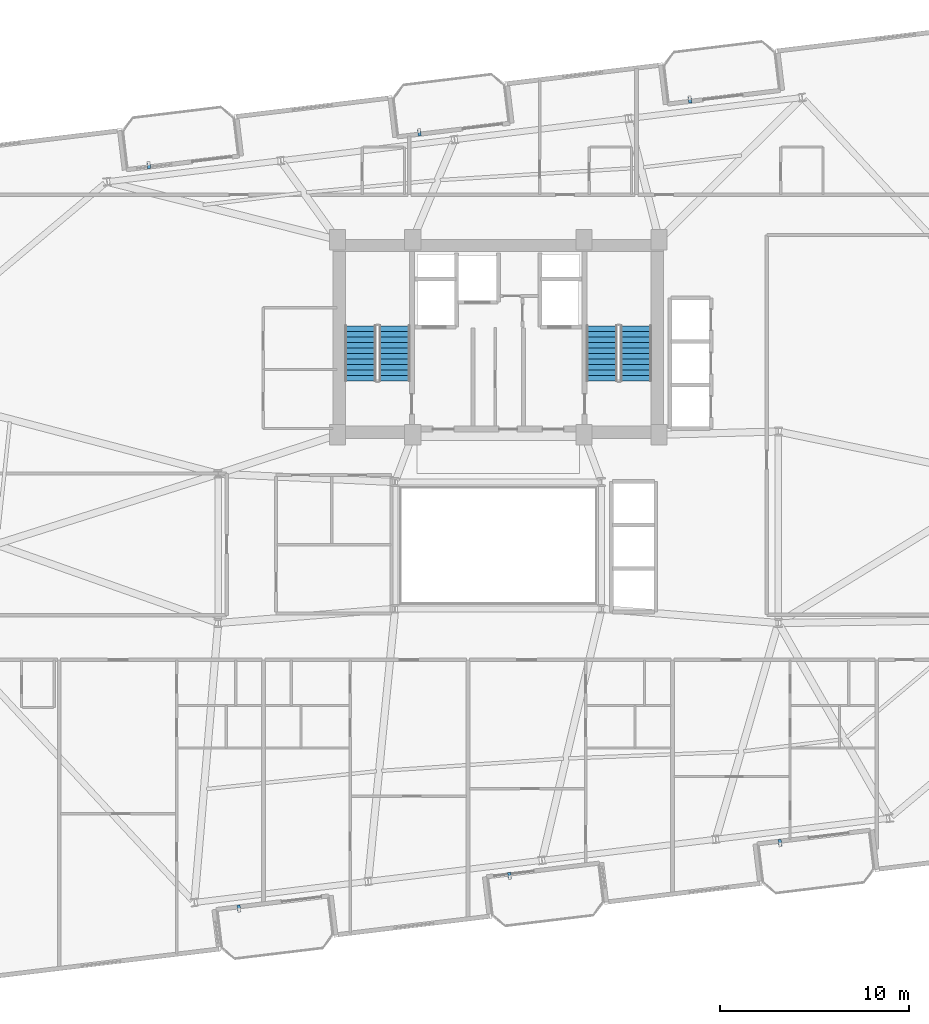
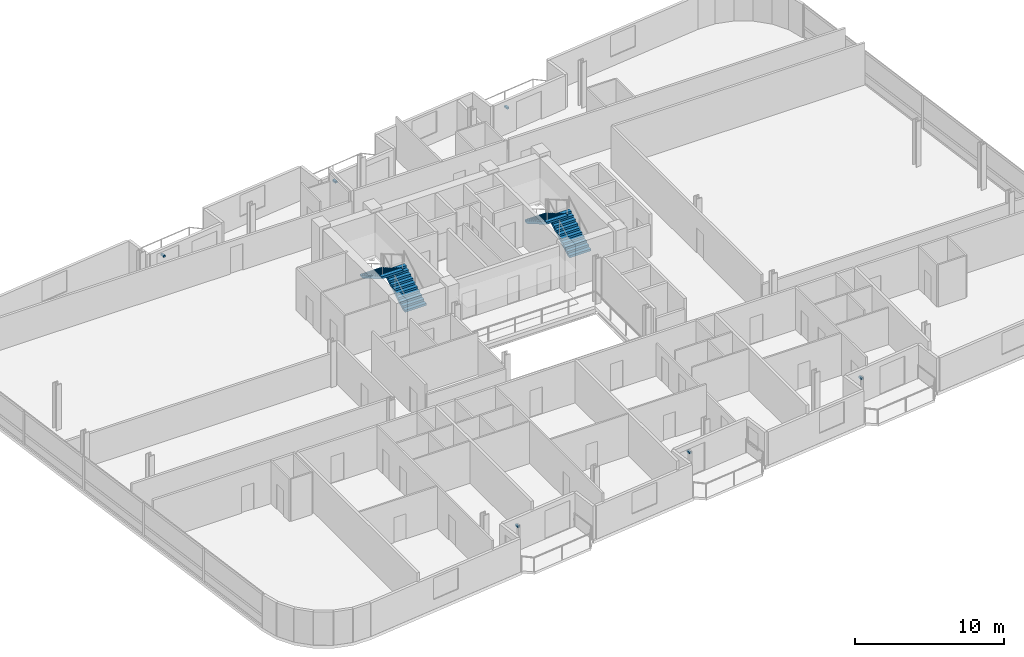
# One storey, part 19 of 23: 6 discrete accessories, 4 stair flights, 2 elements without a shape of their own.
"""IFC4 building model written with IfcOpenShell, lengths in metres."""

from ifc_helpers import new_model, si_unit, direction, frame, origin, origin_2d, place, context, subcontext, project, spatial, polyline, rectangle, outline, extrude, source, transform, mapped, material, type_object, element, aggregate, save


model = new_model("IFC4")

# Units and contexts
model_context = context("Model", 3, precision=1e-05, world=origin(), true_north=direction((0.0, 1.0)))
body_context = subcontext(model_context, "Body", "Model", "MODEL_VIEW")
ifc_project = project(units=[si_unit("LENGTHUNIT", "METRE"), si_unit("AREAUNIT", "SQUARE_METRE"), si_unit("VOLUMEUNIT", "CUBIC_METRE"), si_unit("PLANEANGLEUNIT", "RADIAN"), si_unit("MASSUNIT", "GRAM", prefix="KILO")], contexts=[model_context])

# Site, building, storey
site_placement = place(None, origin())
site = spatial("IfcSite", under=ifc_project, at=site_placement, CompositionType="ELEMENT")
building_placement = place(site_placement, origin())
building = spatial("IfcBuilding", under=site, at=building_placement, Name="Varnelok Gate Tower", CompositionType="ELEMENT")
storey_placement = place(building_placement, frame((0.0, 0.0, 174.60009765625)))
storey = spatial("IfcBuildingStorey", under=building, at=storey_placement, Name="L44", CompositionType="ELEMENT", Elevation=174.60009765625)

# Stair, stair flights
ifc_material_1 = material(Name="Concrete C50/60", Category="concrete")
stair_type = type_object("IfcStairType", Name="STR-CORE-1650", PredefinedType="HALF_TURN_STAIR", material=ifc_material_1)
stair_1_placement = place(storey_placement, origin())
stair_1 = element("IfcStair", 1, at=stair_1_placement, inside=storey, type_object=stair_type, Name="L44 Exit Stair ST-1", PredefinedType="HALF_TURN_STAIR")
stair_flight_type = type_object("IfcStairFlightType", Name="SFL-CORE-1650", PredefinedType="STRAIGHT", material=ifc_material_1)
stair_flight_1_placement = place(storey_placement, frame((33.72509765625, 31.60009765625, 0.0), z_axis=(0.0, 0.0, 1.0), x_axis=(0.0, 1.0, 0.0)))
stair_flight_1 = element("IfcStairFlight", 2, at=stair_flight_1_placement, type_object=stair_flight_type, Name="ST-1 flight 1", NumberOfRisers=11, NumberOfTreads=10, PredefinedType="STRAIGHT", RiserHeight=0.168181818, TreadLength=0.29, context=body_context, shape_type="SweptSolid", body=[
    extrude(outline(polyline([(0.0, 0.0), (0.0, 0.168212890625), (0.2900390625, 0.168212890625), (0.2900390625, 0.33642578125), (0.580078125, 0.33642578125), (0.580078125, 0.504638671875), (0.8701171875, 0.504638671875), (0.8701171875, 0.672607421875), (1.159912109375, 0.672607421875), (1.159912109375, 0.8408203125), (1.449951171875, 0.8408203125), (1.449951171875, 1.009033203125), (1.739990234375, 1.009033203125), (1.739990234375, 1.17724609375), (2.030029296875, 1.17724609375), (2.030029296875, 1.345458984375), (2.320068359375, 1.345458984375), (2.320068359375, 1.513671875), (2.610107421875, 1.513671875), (2.610107421875, 1.681884765625), (2.89990234375, 1.681884765625), (2.89990234375, 1.85009765625), (2.89990234375, 1.508544921875), (0.298828125, 0.0), (0.0, 0.0)])), frame((0.0, 0.824951171875, 0.0), z_axis=(0.0, -1.0, 0.0), x_axis=(1.0, 0.0, 0.0)), (0.0, 0.0, 1.0), 1.64990234375),
])
stair_flight_2_placement = place(storey_placement, frame((31.925048828125, 34.5, 1.849853515625), z_axis=(0.0, 0.0, 1.0), x_axis=(0.0, -1.0, 0.0)))
stair_flight_2 = element("IfcStairFlight", 3, at=stair_flight_2_placement, type_object=stair_flight_type, Name="ST-1 flight 2", NumberOfRisers=11, NumberOfTreads=10, PredefinedType="STRAIGHT", RiserHeight=0.168181818, TreadLength=0.29, context=body_context, shape_type="SweptSolid", body=[
    extrude(outline(polyline([(0.0, 0.0), (0.0, 0.168212890625), (0.2900390625, 0.168212890625), (0.2900390625, 0.33642578125), (0.580078125, 0.33642578125), (0.580078125, 0.504638671875), (0.8701171875, 0.504638671875), (0.8701171875, 0.672607421875), (1.159912109375, 0.672607421875), (1.159912109375, 0.8408203125), (1.449951171875, 0.8408203125), (1.449951171875, 1.009033203125), (1.739990234375, 1.009033203125), (1.739990234375, 1.17724609375), (2.030029296875, 1.17724609375), (2.030029296875, 1.345458984375), (2.320068359375, 1.345458984375), (2.320068359375, 1.513671875), (2.610107421875, 1.513671875), (2.610107421875, 1.681884765625), (2.89990234375, 1.681884765625), (2.89990234375, 1.85009765625), (2.89990234375, 1.508544921875), (0.298828125, 0.0), (0.0, 0.0)])), frame((0.0, 0.824951171875, 0.0), z_axis=(0.0, -1.0, 0.0), x_axis=(1.0, 0.0, 0.0)), (0.0, 0.0, 1.0), 1.64990234375),
])
aggregate(stair_1, [stair_flight_1, stair_flight_2])

stair_2_placement = place(storey_placement, origin())
stair_2 = element("IfcStair", 4, at=stair_2_placement, inside=storey, type_object=stair_type, Name="L44 Exit Stair ST-2", PredefinedType="HALF_TURN_STAIR")
stair_flight_3_placement = place(storey_placement, frame((46.47509765625, 31.60009765625, 0.0), z_axis=(0.0, 0.0, 1.0), x_axis=(0.0, 1.0, 0.0)))
stair_flight_3 = element("IfcStairFlight", 5, at=stair_flight_3_placement, type_object=stair_flight_type, Name="ST-2 flight 1", NumberOfRisers=11, NumberOfTreads=10, PredefinedType="STRAIGHT", RiserHeight=0.168181818, TreadLength=0.29, context=body_context, shape_type="SweptSolid", body=[
    extrude(outline(polyline([(0.0, 0.0), (0.0, 0.168212890625), (0.2900390625, 0.168212890625), (0.2900390625, 0.33642578125), (0.580078125, 0.33642578125), (0.580078125, 0.504638671875), (0.8701171875, 0.504638671875), (0.8701171875, 0.672607421875), (1.159912109375, 0.672607421875), (1.159912109375, 0.8408203125), (1.449951171875, 0.8408203125), (1.449951171875, 1.009033203125), (1.739990234375, 1.009033203125), (1.739990234375, 1.17724609375), (2.030029296875, 1.17724609375), (2.030029296875, 1.345458984375), (2.320068359375, 1.345458984375), (2.320068359375, 1.513671875), (2.610107421875, 1.513671875), (2.610107421875, 1.681884765625), (2.89990234375, 1.681884765625), (2.89990234375, 1.85009765625), (2.89990234375, 1.508544921875), (0.298828125, 0.0), (0.0, 0.0)])), frame((0.0, 0.824951171875, 0.0), z_axis=(0.0, -1.0, 0.0), x_axis=(1.0, 0.0, 0.0)), (0.0, 0.0, 1.0), 1.64990234375),
])
stair_flight_4_placement = place(storey_placement, frame((44.675048828125, 34.5, 1.849853515625), z_axis=(0.0, 0.0, 1.0), x_axis=(0.0, -1.0, 0.0)))
stair_flight_4 = element("IfcStairFlight", 6, at=stair_flight_4_placement, type_object=stair_flight_type, Name="ST-2 flight 2", NumberOfRisers=11, NumberOfTreads=10, PredefinedType="STRAIGHT", RiserHeight=0.168181818, TreadLength=0.29, context=body_context, shape_type="SweptSolid", body=[
    extrude(outline(polyline([(0.0, 0.0), (0.0, 0.168212890625), (0.2900390625, 0.168212890625), (0.2900390625, 0.33642578125), (0.580078125, 0.33642578125), (0.580078125, 0.504638671875), (0.8701171875, 0.504638671875), (0.8701171875, 0.672607421875), (1.159912109375, 0.672607421875), (1.159912109375, 0.8408203125), (1.449951171875, 0.8408203125), (1.449951171875, 1.009033203125), (1.739990234375, 1.009033203125), (1.739990234375, 1.17724609375), (2.030029296875, 1.17724609375), (2.030029296875, 1.345458984375), (2.320068359375, 1.345458984375), (2.320068359375, 1.513671875), (2.610107421875, 1.513671875), (2.610107421875, 1.681884765625), (2.89990234375, 1.681884765625), (2.89990234375, 1.85009765625), (2.89990234375, 1.508544921875), (0.298828125, 0.0), (0.0, 0.0)])), frame((0.0, 0.824951171875, 0.0), z_axis=(0.0, -1.0, 0.0), x_axis=(1.0, 0.0, 0.0)), (0.0, 0.0, 1.0), 1.64990234375),
])
aggregate(stair_2, [stair_flight_3, stair_flight_4])

# Discrete accessories
ifc_material_2 = material(Name="Structural Steel ASTM A500 Grade C", Category="steel")
discrete_accessory_type = type_object("IfcDiscreteAccessoryType", Name="ACC-BAGUETTE-BRK", PredefinedType="BRACKET", material=ifc_material_2)
shared_shape = source(origin(), body_context, "Body", "SweptSolid", [
    extrude(rectangle(XDim=0.159912109375, YDim=0.340087890625, at=origin_2d()), origin(), (0.0, 0.0, 1.0), 0.139892578125),
])
for number, where, z_axis, x_axis, name in (
    (7, (25.4970703125, 3.72412109375, 1.97998046875), (0.0, 0.0, 1.0), (0.992732158755, 0.12034475881, 0.0), "L44 Terracotta Baguette Bracket 1.1"),
    (8, (39.792236328125, 5.45703125, 1.97998046875), (0.0, 0.0, 1.0), (0.992732158755, 0.12034475881, 0.0), "L44 Terracotta Baguette Bracket 2.1"),
    (9, (54.087646484375, 7.18994140625, 1.97998046875), (0.0, 0.0, 1.0), (0.992732158755, 0.12034475881, 0.0), "L44 Terracotta Baguette Bracket 3.1"),
    (10, (20.738525390625, 42.976806640625, 1.97998046875), (0.0, 0.0, 1.0), (0.992732158755, 0.12034475881, 0.0), "L44 Terracotta Baguette Bracket 4.1"),
    (11, (35.033935546875, 44.709716796875, 1.97998046875), (0.0, 0.0, 1.0), (0.992732158755, 0.12034475881, 0.0), "L44 Terracotta Baguette Bracket 5.1"),
    (12, (49.3291015625, 46.442626953125, 1.97998046875), (0.0, 0.0, 1.0), (0.992732158755, 0.12034475881, 0.0), "L44 Terracotta Baguette Bracket 6.1"),
):
    element("IfcDiscreteAccessory", number, at=place(storey_placement, frame(where, z_axis=z_axis, x_axis=x_axis)), inside=storey, type_object=discrete_accessory_type, Name=name, PredefinedType="BRACKET", context=body_context, shape_type="MappedRepresentation", body=[
        mapped(shared_shape, transform((0.0, 0.0, 0.0), scale=1.0)),
    ])

save(model, "model.ifc")
